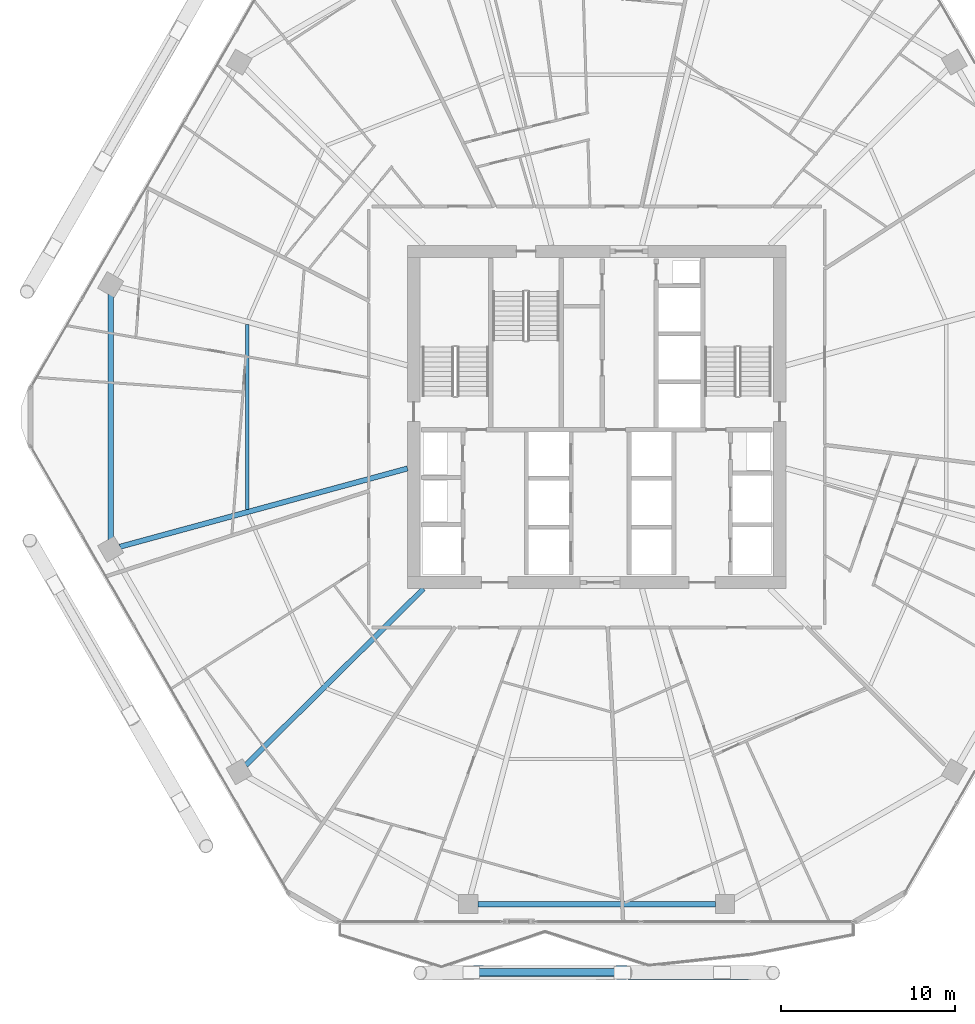
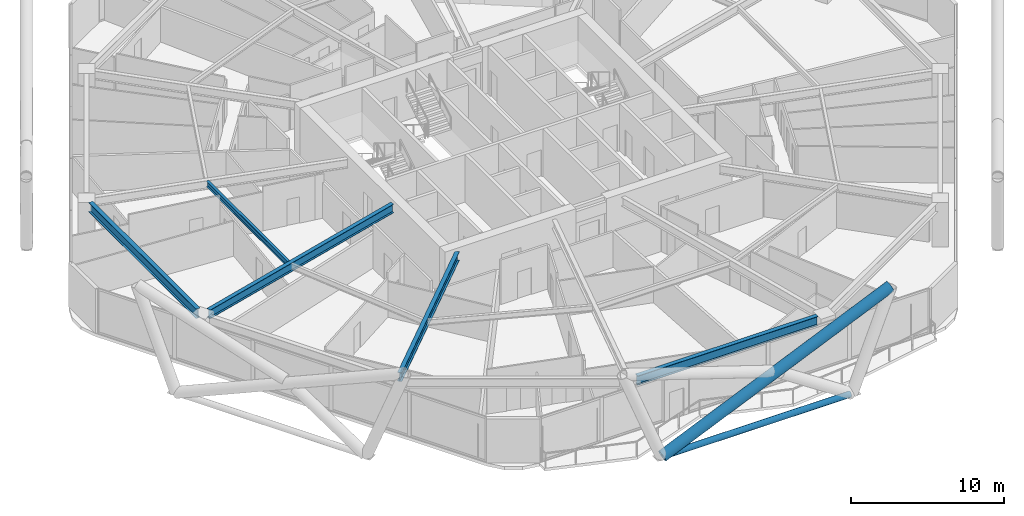
# One storey, part 6 of 35: 5 beams, 2 members.
"""IFC4 building model written with IfcOpenShell, lengths in metres."""

from ifc_helpers import new_model, si_unit, direction, frame, origin, origin_2d, place, context, subcontext, project, spatial, hollow_circle, i_section, extrude, material, material_profile, profile_set, type_object, element, save


model = new_model("IFC4")

# Units and contexts
model_context = context("Model", 3, precision=1e-05, world=origin(), true_north=direction((0.0, 1.0)))
body_context = subcontext(model_context, "Body", "Model", "MODEL_VIEW")
ifc_project = project(units=[si_unit("LENGTHUNIT", "METRE"), si_unit("AREAUNIT", "SQUARE_METRE"), si_unit("VOLUMEUNIT", "CUBIC_METRE"), si_unit("PLANEANGLEUNIT", "RADIAN"), si_unit("MASSUNIT", "GRAM", prefix="KILO")], contexts=[model_context])

# Site, building, storey
site_placement = place(None, origin())
site = spatial("IfcSite", under=ifc_project, at=site_placement, CompositionType="ELEMENT")
building_placement = place(site_placement, origin())
building = spatial("IfcBuilding", under=site, at=building_placement, Name="Zuhravey Tower", CompositionType="ELEMENT")
storey_placement = place(building_placement, frame((0.0, 0.0, 115.199951171875)))
storey = spatial("IfcBuildingStorey", under=building, at=storey_placement, Name="L28", CompositionType="ELEMENT", Elevation=115.199951171875)

# Members
ifc_material_1 = material(Name="Steel SM355", Category="steel")
ifc_material_profile_1 = material_profile(ifc_material_1, hollow_circle(Radius=0.228515625, WallThickness=0.02197265625, at=origin_2d()), Name="CHS-457.2x22")
ifc_profile_set_1 = profile_set([ifc_material_profile_1], Name="Steel SM355")
member_type_1 = type_object("IfcMemberType", Name="Exoskeleton Ring Tie CHS457x22", PredefinedType="CHORD", material=ifc_profile_set_1)
member_1_placement = place(storey_placement, frame((28.946044921875, 0.131591796875, -0.4638671875), z_axis=(1.0, 0.0, 0.0), x_axis=(0.0, 1.0, 0.0)))
element("IfcMember", 1, at=member_1_placement, inside=storey, type_object=member_type_1, Name="L28 Exoskeleton Face 5 Tie EXR1", PredefinedType="CHORD", context=body_context, shape_type="SweptSolid", body=[
    extrude(hollow_circle(Radius=0.228515625, WallThickness=0.02197265625, at=origin_2d()), origin(), (0.0, 0.0, 1.0), 14.10791015625),
])
ifc_material_2 = material(Name="Steel SM460", Category="steel")
ifc_material_profile_2 = material_profile(ifc_material_2, hollow_circle(Radius=0.406494140625, WallThickness=0.035888671875, at=origin_2d()), Name="CHS-812.8x36")
ifc_profile_set_2 = profile_set([ifc_material_profile_2], Name="Steel SM460")
member_type_2 = type_object("IfcMemberType", Name="Exoskeleton Zone 1 Diagrid CHS813x36", PredefinedType="BRACE", material=ifc_profile_set_2)
member_2_placement = place(storey_placement, frame((28.856201171875, 0.13134765625, -0.44189453125), z_axis=(0.915812767342, -0.001583104138, 0.401602376679), x_axis=(0.00172863038, 0.999998505917, 0.0)))
element("IfcMember", 2, at=member_2_placement, inside=storey, type_object=member_type_2, Name="L28 Face 5 Diagrid Brace 2", PredefinedType="BRACE", context=body_context, shape_type="SweptSolid", body=[
    extrude(hollow_circle(Radius=0.406494140625, WallThickness=0.035888671875, at=origin_2d()), origin(), (0.0, 0.0, 1.0), 18.814453125),
])

# Beams
ifc_material_profile_3 = material_profile(ifc_material_1, i_section(OverallWidth=0.320068359375, OverallDepth=0.75, WebThickness=0.013916015625, FlangeThickness=0.02490234375, at=origin_2d()), Name="H-750x320x14x25")
ifc_profile_set_3 = profile_set([ifc_material_profile_3], Name="Steel SM355")
beam_type_1 = type_object("IfcBeamType", Name="Perimeter Ring Beam H750x320", PredefinedType="BEAM", material=ifc_profile_set_3)
beam_1_placement = place(storey_placement, frame((8.11083984375, 39.03857421875, 3.175048828125), z_axis=(0.0, -1.0, 0.0), x_axis=(1.0, 0.0, 0.0)))
element("IfcBeam", 3, at=beam_1_placement, inside=storey, type_object=beam_type_1, Name="L28 PB1 BM-L28-PB-06", PredefinedType="BEAM", context=body_context, shape_type="SweptSolid", body=[
    extrude(i_section(OverallWidth=0.320068359375, OverallDepth=0.75, WebThickness=0.013916015625, FlangeThickness=0.02490234375, at=origin_2d()), origin(), (0.0, 0.0, 1.0), 14.0771484375),
])
beam_2_placement = place(storey_placement, frame((29.18310546875, 4.051513671875, 3.175048828125), z_axis=(1.0, 0.0, 0.0), x_axis=(0.0, 1.0, 0.0)))
element("IfcBeam", 4, at=beam_2_placement, inside=storey, type_object=beam_type_1, Name="L28 PB1 BM-L28-PB-09", PredefinedType="BEAM", context=body_context, shape_type="SweptSolid", body=[
    extrude(i_section(OverallWidth=0.320068359375, OverallDepth=0.75, WebThickness=0.013916015625, FlangeThickness=0.02490234375, at=origin_2d()), origin(), (0.0, 0.0, 1.0), 13.6337890625),
])
ifc_material_profile_4 = material_profile(ifc_material_1, i_section(OverallWidth=0.300048828125, OverallDepth=0.699951171875, WebThickness=0.012939453125, FlangeThickness=0.02392578125, at=origin_2d()), Name="H-700x300x13x24")
ifc_profile_set_4 = profile_set([ifc_material_profile_4], Name="Steel SM355")
beam_type_2 = type_object("IfcBeamType", Name="Radial Primary Girder H700x300", PredefinedType="BEAM", material=ifc_profile_set_4)
beam_3_placement = place(storey_placement, frame((25.14697265625, 29.045654296875, 3.199951171875), z_axis=(-0.964893166225, -0.262642680791, 0.0), x_axis=(0.262642680791, -0.964893166225, 0.0)))
element("IfcBeam", 5, at=beam_3_placement, inside=storey, type_object=beam_type_2, Name="L28 RG1 BM-L28-RAD-07", PredefinedType="BEAM", context=body_context, shape_type="SweptSolid", body=[
    extrude(i_section(OverallWidth=0.300048828125, OverallDepth=0.699951171875, WebThickness=0.012939453125, FlangeThickness=0.02392578125, at=origin_2d()), origin(), (0.0, 0.0, 1.0), 17.102783203125),
])
beam_4_placement = place(storey_placement, frame((26.068603515625, 22.14697265625, 3.199951171875), z_axis=(-0.709906230344, -0.704296204816, 0.0), x_axis=(0.704296204816, -0.709906230344, 0.0)))
element("IfcBeam", 6, at=beam_4_placement, inside=storey, type_object=beam_type_2, Name="L28 RG1 BM-L28-RAD-08", PredefinedType="BEAM", context=body_context, shape_type="SweptSolid", body=[
    extrude(i_section(OverallWidth=0.300048828125, OverallDepth=0.699951171875, WebThickness=0.012939453125, FlangeThickness=0.02392578125, at=origin_2d()), origin(), (0.0, 0.0, 1.0), 14.361083984375),
])
ifc_material_profile_5 = material_profile(ifc_material_1, i_section(OverallWidth=0.199951171875, OverallDepth=0.449951171875, WebThickness=0.009033203125, FlangeThickness=0.013916015625, at=origin_2d()), Name="H-450x200x9x14")
ifc_profile_set_5 = profile_set([ifc_material_profile_5], Name="Steel SM355")
beam_type_3 = type_object("IfcBeamType", Name="Secondary Floor Joist H450x200", PredefinedType="JOIST", material=ifc_profile_set_5)
beam_5_placement = place(storey_placement, frame((15.947509765625, 37.304443359375, 3.324951171875), z_axis=(0.0, -1.0, 0.0), x_axis=(1.0, 0.0, 0.0)))
element("IfcBeam", 7, at=beam_5_placement, inside=storey, type_object=beam_type_3, Name="L28 SJ1 BM-L28-SJ-06-1", PredefinedType="JOIST", context=body_context, shape_type="SweptSolid", body=[
    extrude(i_section(OverallWidth=0.199951171875, OverallDepth=0.449951171875, WebThickness=0.009033203125, FlangeThickness=0.013916015625, at=origin_2d()), origin(), (0.0, 0.0, 1.0), 10.60888671875),
])

save(model, "model.ifc")
